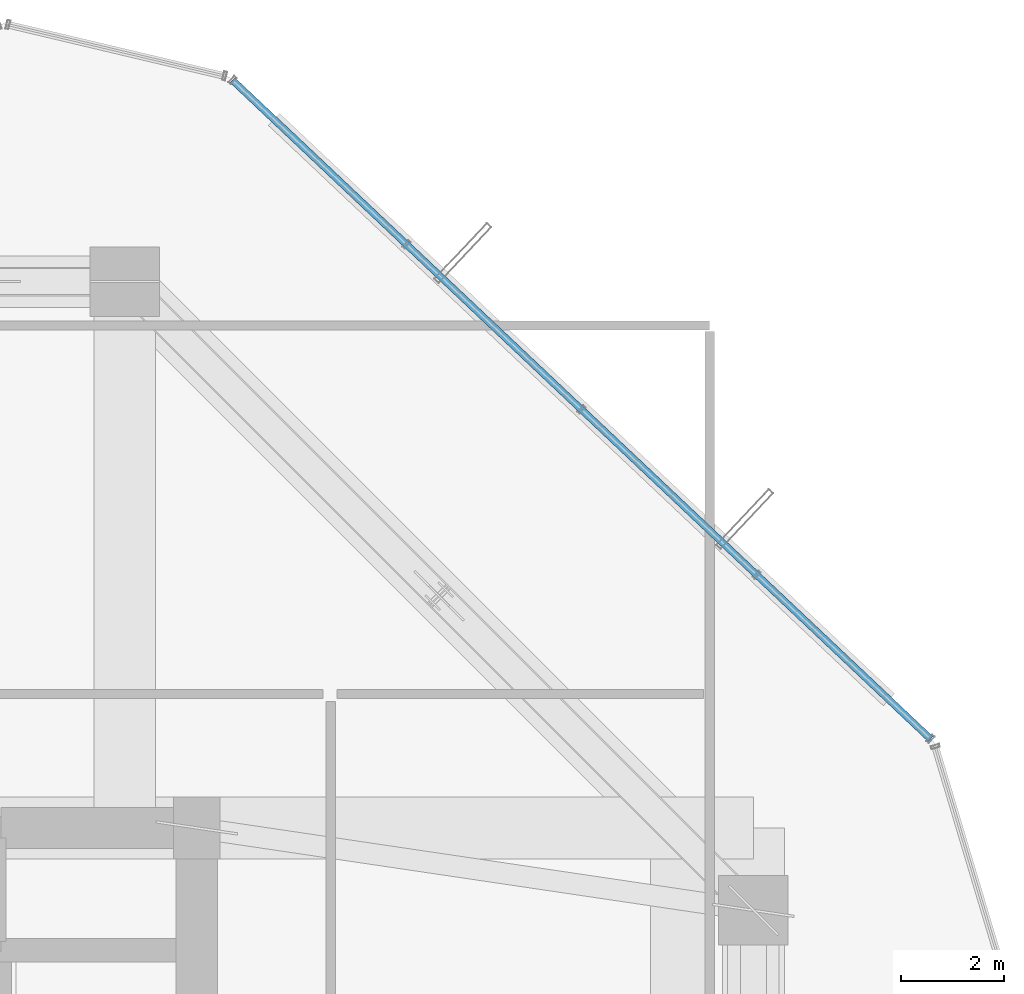
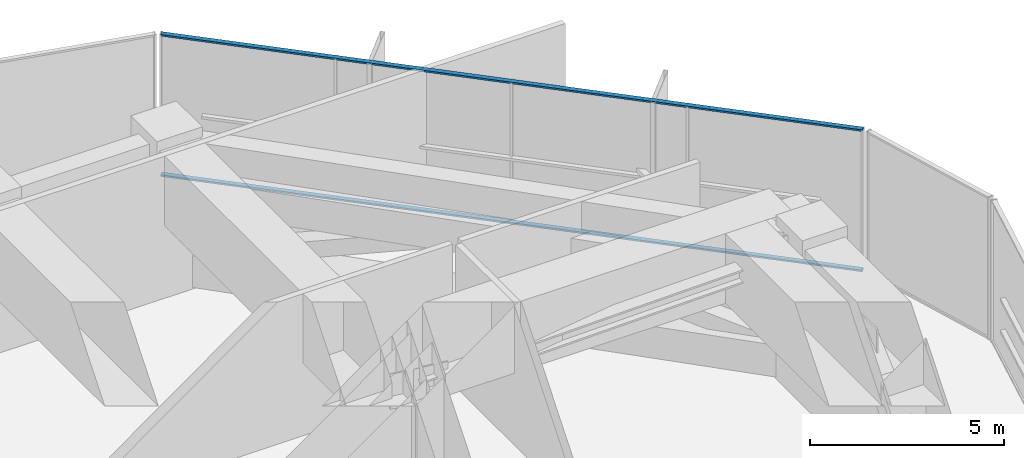
# One storey, part 32 of 41: 2 members, 1 element without a shape of its own.
"""IFC4 building model written with IfcOpenShell, lengths in metres."""

from ifc_helpers import new_model, si_unit, direction, frame, origin, origin_2d, place, context, subcontext, project, spatial, hollow_rectangle, extrude, source, transform, mapped, material, layer, layer_set, material_profile, profile_set, type_object, element, aggregate, save


model = new_model("IFC4")

# Units and contexts
model_context = context("Model", 3, precision=1e-05, world=origin(), true_north=direction((0.0, 1.0)))
body_context = subcontext(model_context, "Body", "Model", "MODEL_VIEW")
ifc_project = project(units=[si_unit("LENGTHUNIT", "METRE"), si_unit("AREAUNIT", "SQUARE_METRE"), si_unit("VOLUMEUNIT", "CUBIC_METRE"), si_unit("PLANEANGLEUNIT", "RADIAN"), si_unit("MASSUNIT", "GRAM", prefix="KILO")], contexts=[model_context])

# Site, building, storey
site_placement = place(None, origin())
site = spatial("IfcSite", under=ifc_project, at=site_placement, CompositionType="ELEMENT")
building_placement = place(site_placement, origin())
building = spatial("IfcBuilding", under=site, at=building_placement, Name="Veraguas Prism Commons", CompositionType="ELEMENT")
storey_placement = place(building_placement, frame((0.0, 0.0, 80.35009765625)))
storey = spatial("IfcBuildingStorey", under=building, at=storey_placement, Name="L22", CompositionType="ELEMENT", Elevation=80.35009765625)

# Curtain wall, members
ifc_material = material(Name="Anodised aluminium EN AW-6063 T6", Category="aluminium")
ifc_layer = layer(ifc_material, 0.169921875, Name="Unitised Flush Curtain Wall Zone 1", Category="aluminium")
ifc_layer_set = layer_set([ifc_layer], Name="Anodised aluminium EN AW-6063 T6")
curtain_wall_type = type_object("IfcCurtainWallType", Name="Unitised Flush Curtain Wall Zone 1", PredefinedType="NOTDEFINED", material=ifc_layer_set)
curtain_wall_placement = place(storey_placement, origin())
curtain_wall = element("IfcCurtainWall", 1, at=curtain_wall_placement, inside=storey, type_object=curtain_wall_type, Name="Tower Facade Curtain Wall L22-F1", PredefinedType="NOTDEFINED")
ifc_material_profile = material_profile(ifc_material, hollow_rectangle(XDim=0.054931640625, YDim=0.135009765625, WallThickness=0.0029296875, at=origin_2d()), Name="AL55X135X3")
ifc_profile_set = profile_set([ifc_material_profile], Name="Anodised aluminium EN AW-6063 T6")
member_type = type_object("IfcMemberType", Name="Curtain Wall Transom Standard AL 55x135x3", PredefinedType="USERDEFINED", material=ifc_profile_set)
shared_shape = source(origin(), body_context, "Body", "SweptSolid", [
    extrude(hollow_rectangle(XDim=0.054931640625, YDim=0.135009765625, WallThickness=0.0029296875, at=origin_2d()), origin(), (0.0, 0.0, 1.0), 18.6240234375),
])
member_1_placement = place(storey_placement, frame((45.03759765625, 32.7255859375, 0.02734375), z_axis=(-0.727299198756, 0.686320534072, 0.0), x_axis=(0.0, 0.0, 1.0)))
member_1 = element("IfcMember", 2, at=member_1_placement, type_object=member_type, Name="CW-Z1 Transom 1", ObjectType="TRANSOM", PredefinedType="USERDEFINED", context=body_context, shape_type="MappedRepresentation", body=[
    mapped(shared_shape, transform((0.0, 0.0, 0.0), scale=1.0)),
])
member_2_placement = place(storey_placement, frame((45.03759765625, 32.7255859375, 4.452392578125), z_axis=(-0.727299198756, 0.686320534072, 0.0), x_axis=(0.0, 0.0, 1.0)))
member_2 = element("IfcMember", 3, at=member_2_placement, type_object=member_type, Name="CW-Z1 Transom 2", ObjectType="TRANSOM", PredefinedType="USERDEFINED", context=body_context, shape_type="MappedRepresentation", body=[
    mapped(shared_shape, transform((0.0, 0.0, 0.0), scale=1.0)),
])
aggregate(curtain_wall, [member_1, member_2])

save(model, "model.ifc")
